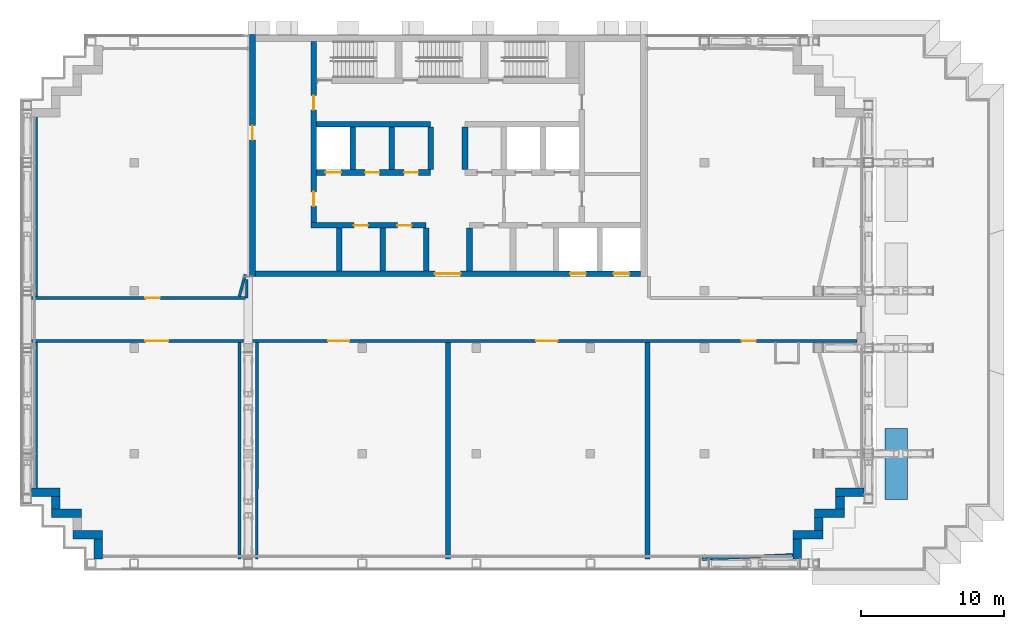
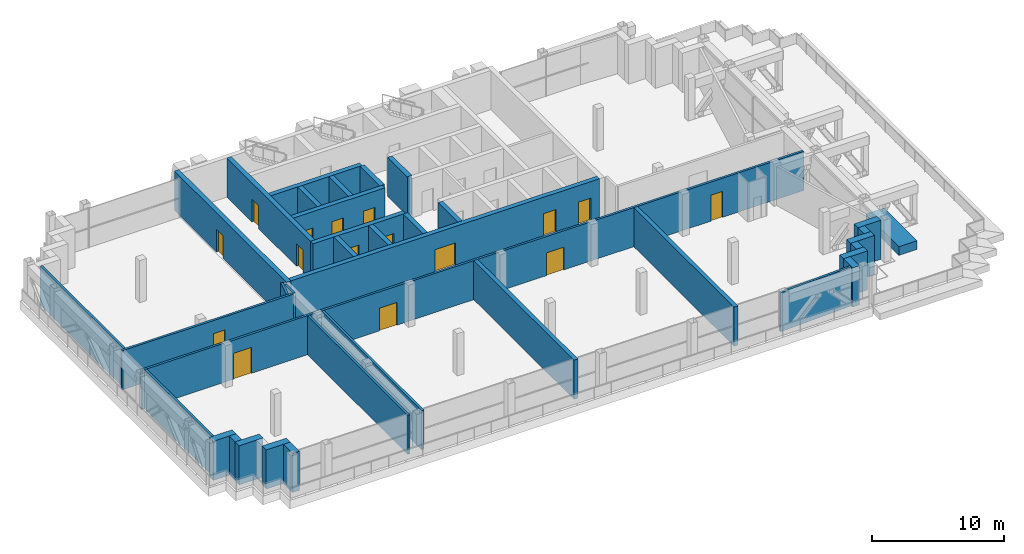
# One storey, part 7 of 21: 37 walls, 16 doors, 16 openings.
"""IFC4 building model written with IfcOpenShell, lengths in metres."""

from ifc_helpers import new_model, si_unit, direction, frame, frame_2d, origin, place, context, subcontext, project, spatial, rectangle, extrude, material, layer, layer_set, type_object, element, fill, save


model = new_model("IFC4")

# Units and contexts
model_context = context("Model", 3, precision=1e-05, world=origin(), true_north=direction((0.0, 1.0)))
body_context = subcontext(model_context, "Body", "Model", "MODEL_VIEW")
ifc_project = project(units=[si_unit("LENGTHUNIT", "METRE"), si_unit("AREAUNIT", "SQUARE_METRE"), si_unit("VOLUMEUNIT", "CUBIC_METRE"), si_unit("PLANEANGLEUNIT", "RADIAN"), si_unit("MASSUNIT", "GRAM", prefix="KILO")], contexts=[model_context])

# Site, building, storey
site_placement = place(None, origin())
site = spatial("IfcSite", under=ifc_project, at=site_placement, CompositionType="ELEMENT")
building_placement = place(site_placement, origin())
building = spatial("IfcBuilding", under=site, at=building_placement, Name="Vidyagriha Tower", CompositionType="ELEMENT")
storey_placement = place(building_placement, frame((0.0, 0.0, 203.699951171875)))
storey = spatial("IfcBuildingStorey", under=building, at=storey_placement, Name="L52", CompositionType="ELEMENT", Elevation=203.699951171875)

# Walls
ifc_material_1 = material(Name="Precast concrete C40/50 with brick facing", Category="concrete")
ifc_layer_1 = layer(ifc_material_1, 1.60009765625)
ifc_layer_set_1 = layer_set([ifc_layer_1], Name="Precast concrete C40/50 with brick facing")
wall_type_1 = type_object("IfcWallType", Name="Brick planter box 1600", PredefinedType="STANDARD", material=ifc_layer_set_1)
wall_1_placement = place(storey_placement, frame((31.449951171875, -12.628662109375, 0.0), z_axis=(0.0, 0.0, 1.0), x_axis=(0.0, 1.0, 0.0)))
element("IfcWall", 1, at=wall_1_placement, inside=storey, type_object=wall_type_1, Name="PLANTER L52 1", PredefinedType="STANDARD", context=body_context, shape_type="SweptSolid", body=[
    extrude(rectangle(XDim=5.0, YDim=1.60009765625, at=frame_2d((2.5, 0.0))), origin(), (0.0, 0.0, 1.0), 0.800048828125),
])
ifc_material_2 = material(Name="Precast concrete C40/50 with brick facing", Category="concrete")
ifc_layer_2 = layer(ifc_material_2, 0.60009765625)
ifc_layer_set_2 = layer_set([ifc_layer_2], Name="Precast concrete C40/50 with brick facing")
wall_type_2 = type_object("IfcWallType", Name="Brick-faced precast wall 600", PredefinedType="STANDARD", material=ifc_layer_set_2)
wall_2_placement = place(storey_placement, frame((-29.199951171875, -12.10009765625, 0.0)))
element("IfcWall", 2, at=wall_2_placement, inside=storey, type_object=wall_type_2, Name="Stepped corner wall L52 R17", PredefinedType="STANDARD", context=body_context, shape_type="SweptSolid", body=[
    extrude(rectangle(XDim=2.0, YDim=0.60009765625, at=frame_2d((1.0, 0.0))), origin(), (0.0, 0.0, 1.0), 3.6201171875),
])
wall_3_placement = place(storey_placement, frame((-27.5, -12.39990234375, 0.0), z_axis=(0.0, 0.0, 1.0), x_axis=(0.0, -1.0, 0.0)))
element("IfcWall", 3, at=wall_3_placement, inside=storey, type_object=wall_type_2, Name="Stepped corner wall L52 R18", PredefinedType="STANDARD", context=body_context, shape_type="SweptSolid", body=[
    extrude(rectangle(XDim=0.900146484375, YDim=0.60009765625, at=frame_2d((0.4501953125, 0.0))), origin(), (0.0, 0.0, 1.0), 3.6201171875),
])
for number, where, name in (
    (4, (-27.800048828125, -13.60009765625, 0.0), "Stepped corner wall L52 R19"),
    (5, (-26.300048828125, -15.10009765625, 0.0), "Stepped corner wall L52 R21"),
):
    element("IfcWall", number, at=place(storey_placement, frame(where)), inside=storey, type_object=wall_type_2, Name=name, PredefinedType="STANDARD", context=body_context, shape_type="SweptSolid", body=[
        extrude(rectangle(XDim=2.10009765625, YDim=0.60009765625, at=frame_2d((1.050048828125, 0.0))), origin(), (0.0, 0.0, 1.0), 3.6201171875),
    ])
for number, where, z_axis, x_axis, name in (
    (6, (-24.5, -15.39990234375, 0.0), (0.0, 0.0, 1.0), (0.0, -1.0, 0.0), "Stepped corner wall L52 R22"),
    (7, (24.5, -16.800048828125, 0.0), (0.0, 0.0, 1.0), (0.0, 1.0, 0.0), "Stepped corner wall L52 R24"),
):
    element("IfcWall", number, at=place(storey_placement, frame(where, z_axis=z_axis, x_axis=x_axis)), inside=storey, type_object=wall_type_2, Name=name, PredefinedType="STANDARD", context=body_context, shape_type="SweptSolid", body=[
        extrude(rectangle(XDim=1.400146484375, YDim=0.60009765625, at=frame_2d((0.7001953125, 0.0))), origin(), (0.0, 0.0, 1.0), 3.6201171875),
    ])
wall_4_placement = place(storey_placement, frame((24.199951171875, -15.10009765625, 0.0)))
element("IfcWall", 8, at=wall_4_placement, inside=storey, type_object=wall_type_2, Name="Stepped corner wall L52 R25", PredefinedType="STANDARD", context=body_context, shape_type="SweptSolid", body=[
    extrude(rectangle(XDim=2.10009765625, YDim=0.60009765625, at=frame_2d((1.050048828125, 0.0))), origin(), (0.0, 0.0, 1.0), 3.6201171875),
])
wall_5_placement = place(storey_placement, frame((26.0, -14.800048828125, 0.0), z_axis=(0.0, 0.0, 1.0), x_axis=(0.0, 1.0, 0.0)))
element("IfcWall", 9, at=wall_5_placement, inside=storey, type_object=wall_type_2, Name="Stepped corner wall L52 R26", PredefinedType="STANDARD", context=body_context, shape_type="SweptSolid", body=[
    extrude(rectangle(XDim=0.900146484375, YDim=0.60009765625, at=frame_2d((0.4501953125, 0.0))), origin(), (0.0, 0.0, 1.0), 3.6201171875),
])
wall_6_placement = place(storey_placement, frame((25.699951171875, -13.60009765625, 0.0)))
element("IfcWall", 10, at=wall_6_placement, inside=storey, type_object=wall_type_2, Name="Stepped corner wall L52 R27", PredefinedType="STANDARD", context=body_context, shape_type="SweptSolid", body=[
    extrude(rectangle(XDim=2.10009765625, YDim=0.60009765625, at=frame_2d((1.050048828125, 0.0))), origin(), (0.0, 0.0, 1.0), 3.6201171875),
])
wall_7_placement = place(storey_placement, frame((27.5, -13.300048828125, 0.0), z_axis=(0.0, 0.0, 1.0), x_axis=(0.0, 1.0, 0.0)))
element("IfcWall", 11, at=wall_7_placement, inside=storey, type_object=wall_type_2, Name="Stepped corner wall L52 R28", PredefinedType="STANDARD", context=body_context, shape_type="SweptSolid", body=[
    extrude(rectangle(XDim=0.900146484375, YDim=0.60009765625, at=frame_2d((0.4501953125, 0.0))), origin(), (0.0, 0.0, 1.0), 3.6201171875),
])
wall_8_placement = place(storey_placement, frame((27.199951171875, -12.10009765625, 0.0)))
element("IfcWall", 12, at=wall_8_placement, inside=storey, type_object=wall_type_2, Name="Stepped corner wall L52 R29", PredefinedType="STANDARD", context=body_context, shape_type="SweptSolid", body=[
    extrude(rectangle(XDim=2.0, YDim=0.60009765625, at=frame_2d((1.0, 0.0))), origin(), (0.0, 0.0, 1.0), 3.6201171875),
])

# Wall, opening, door
ifc_material_3 = material(Name="Concrete C60/75", Category="concrete")
ifc_layer_3 = layer(ifc_material_3, 0.39990234375)
ifc_layer_set_3 = layer_set([ifc_layer_3], Name="Concrete C60/75")
wall_type_3 = type_object("IfcWallType", Name="Core shear wall 400 mm", PredefinedType="SHEAR", material=ifc_layer_set_3)
wall_9_placement = place(storey_placement, frame((-13.699951171875, 3.0, 0.0), z_axis=(0.0, 0.0, 1.0), x_axis=(0.0, 1.0, 0.0)))
wall_9 = element("IfcWall", 13, at=wall_9_placement, inside=storey, type_object=wall_type_3, Name="Core west wall", PredefinedType="SHEAR", context=body_context, shape_type="SweptSolid", body=[
    extrude(rectangle(XDim=17.0, YDim=0.39990234375, at=frame_2d((8.5, 0.0))), origin(), (0.0, 0.0, 1.0), 3.6201171875),
])
opening_1_placement = place(wall_9_placement, frame((9.60009765625, 0.0, 0.0)))
opening_1 = element("IfcOpeningElement", 14, at=opening_1_placement, cuts=wall_9, Name="Opening D52-16", PredefinedType="OPENING", context=body_context, shape_type="SweptSolid", body=[
    extrude(rectangle(XDim=1.0, YDim=2.10009765625, at=frame_2d((0.5, 1.050048828125))), frame((0.0, 0.2099609375, 0.0), z_axis=(0.0, -1.0, 0.0), x_axis=(1.0, 0.0, 0.0)), (0.0, 0.0, 1.0), 0.419921875),
])
ifc_material_4 = material(Name="Hollow metal door leaf")
door_type_1 = type_object("IfcDoorType", Name="Core room door 1000 x 2100 mm EI 60", OperationType="NOTDEFINED", PredefinedType="DOOR", material=ifc_material_4)
door_1_placement = place(opening_1_placement, origin())
door_1 = element("IfcDoor", 15, at=door_1_placement, inside=storey, type_object=door_type_1, Name="Door plant bay 52.W13", OperationType="SINGLE_SWING_LEFT", OverallHeight=2.10009765625, OverallWidth=1.0, PredefinedType="DOOR", context=body_context, shape_type="SweptSolid", body=[
    extrude(rectangle(XDim=1.0, YDim=2.10009765625, at=frame_2d((0.5, 1.050048828125))), frame((0.0, 0.02490234375, 0.0), z_axis=(0.0, -1.0, 0.0), x_axis=(1.0, 0.0, 0.0)), (0.0, 0.0, 1.0), 0.050048828125),
])
fill(opening_1, door_1)

# Wall, openings, doors
wall_10_placement = place(storey_placement, frame((-9.39990234375, 6.800048828125, 0.0), z_axis=(0.0, 0.0, 1.0), x_axis=(0.0, 1.0, 0.0)))
wall_10 = element("IfcWall", 16, at=wall_10_placement, inside=storey, type_object=wall_type_3, Name="Core west spine wall", PredefinedType="SHEAR", context=body_context, shape_type="SweptSolid", body=[
    extrude(rectangle(XDim=12.699951171875, YDim=0.39990234375, at=frame_2d((6.35009765625, 0.0))), origin(), (0.0, 0.0, 1.0), 3.6201171875),
])
opening_2_placement = place(wall_10_placement, frame((1.14990234375, 0.0, 0.0)))
opening_2 = element("IfcOpeningElement", 17, at=opening_2_placement, cuts=wall_10, Name="Opening D52-14", PredefinedType="OPENING", context=body_context, shape_type="SweptSolid", body=[
    extrude(rectangle(XDim=1.0, YDim=2.10009765625, at=frame_2d((0.5, 1.050048828125))), frame((0.0, 0.2099609375, 0.0), z_axis=(0.0, -1.0, 0.0), x_axis=(1.0, 0.0, 0.0)), (0.0, 0.0, 1.0), 0.419921875),
])
opening_3_placement = place(wall_10_placement, frame((7.89990234375, 0.0, 0.0)))
opening_3 = element("IfcOpeningElement", 18, at=opening_3_placement, cuts=wall_10, Name="Opening D52-15", PredefinedType="OPENING", context=body_context, shape_type="SweptSolid", body=[
    extrude(rectangle(XDim=1.0, YDim=2.10009765625, at=frame_2d((0.5, 1.050048828125))), frame((0.0, 0.2099609375, 0.0), z_axis=(0.0, -1.0, 0.0), x_axis=(1.0, 0.0, 0.0)), (0.0, 0.0, 1.0), 0.419921875),
])
door_2_placement = place(opening_2_placement, frame((1.0, 0.0, 0.0), z_axis=(0.0, 0.0, 1.0), x_axis=(-1.0, 0.0, 0.0)))
door_2 = element("IfcDoor", 19, at=door_2_placement, inside=storey, type_object=door_type_1, Name="Door Plant Link Corridor 52.W lobby", OperationType="SINGLE_SWING_RIGHT", OverallHeight=2.10009765625, OverallWidth=1.0, PredefinedType="DOOR", context=body_context, shape_type="SweptSolid", body=[
    extrude(rectangle(XDim=1.0, YDim=2.10009765625, at=frame_2d((0.5, 1.050048828125))), frame((0.0, 0.02490234375, 0.0), z_axis=(0.0, -1.0, 0.0), x_axis=(1.0, 0.0, 0.0)), (0.0, 0.0, 1.0), 0.050048828125),
])
fill(opening_2, door_2)
door_3_placement = place(opening_3_placement, frame((1.0, 0.0, 0.0), z_axis=(0.0, 0.0, 1.0), x_axis=(-1.0, 0.0, 0.0)))
door_3 = element("IfcDoor", 20, at=door_3_placement, inside=storey, type_object=door_type_1, Name="Door Plant Link Corridor 52.W corridor", OperationType="SINGLE_SWING_LEFT", OverallHeight=2.10009765625, OverallWidth=1.0, PredefinedType="DOOR", context=body_context, shape_type="SweptSolid", body=[
    extrude(rectangle(XDim=1.0, YDim=2.10009765625, at=frame_2d((0.5, 1.050048828125))), frame((0.0, 0.02490234375, 0.0), z_axis=(0.0, -1.0, 0.0), x_axis=(1.0, 0.0, 0.0)), (0.0, 0.0, 1.0), 0.050048828125),
])
fill(opening_3, door_3)

wall_11_placement = place(storey_placement, frame((-13.5, 3.199951171875, 0.0)))
wall_11 = element("IfcWall", 21, at=wall_11_placement, inside=storey, type_object=wall_type_3, Name="Core front wall", PredefinedType="SHEAR", context=body_context, shape_type="SweptSolid", body=[
    extrude(rectangle(XDim=27.0, YDim=0.39990234375, at=frame_2d((13.5, 0.0))), origin(), (0.0, 0.0, 1.0), 3.6201171875),
])
opening_4_placement = place(wall_11_placement, frame((22.083251953125, 0.0, 0.0)))
opening_4 = element("IfcOpeningElement", 22, at=opening_4_placement, cuts=wall_11, Name="Opening LD52-01", PredefinedType="OPENING", context=body_context, shape_type="SweptSolid", body=[
    extrude(rectangle(XDim=1.10009765625, YDim=2.10009765625, at=frame_2d((0.550048828125, 1.050048828125))), frame((0.0, 0.2099609375, 0.0), z_axis=(0.0, -1.0, 0.0), x_axis=(1.0, 0.0, 0.0)), (0.0, 0.0, 1.0), 0.419921875),
])
opening_5_placement = place(wall_11_placement, frame((25.127685546875, 0.0, 0.0)))
opening_5 = element("IfcOpeningElement", 23, at=opening_5_placement, cuts=wall_11, Name="Opening LD52-02", PredefinedType="OPENING", context=body_context, shape_type="SweptSolid", body=[
    extrude(rectangle(XDim=1.10009765625, YDim=2.10009765625, at=frame_2d((0.550048828125, 1.050048828125))), frame((0.0, 0.2099609375, 0.0), z_axis=(0.0, -1.0, 0.0), x_axis=(1.0, 0.0, 0.0)), (0.0, 0.0, 1.0), 0.419921875),
])
opening_6_placement = place(wall_11_placement, frame((12.60009765625, 0.0, 0.0)))
opening_6 = element("IfcOpeningElement", 24, at=opening_6_placement, cuts=wall_11, Name="Opening D52-02", PredefinedType="OPENING", context=body_context, shape_type="SweptSolid", body=[
    extrude(rectangle(XDim=1.800048828125, YDim=2.10009765625, at=frame_2d((0.89990234375, 1.050048828125))), frame((0.0, 0.2099609375, 0.0), z_axis=(0.0, -1.0, 0.0), x_axis=(1.0, 0.0, 0.0)), (0.0, 0.0, 1.0), 0.419921875),
])
ifc_material_5 = material(Name="Hollow metal door leaf")
door_type_2 = type_object("IfcDoorType", Name="Core lobby double door 1800 x 2100 mm EI 60", OperationType="NOTDEFINED", PredefinedType="DOOR", material=ifc_material_5)
door_4_placement = place(opening_6_placement, frame((1.800048828125, 0.0, 0.0), z_axis=(0.0, 0.0, 1.0), x_axis=(-1.0, 0.0, 0.0)))
door_4 = element("IfcDoor", 25, at=door_4_placement, inside=storey, type_object=door_type_2, Name="Core entrance door L52", OperationType="DOUBLE_DOOR_SINGLE_SWING", OverallHeight=2.10009765625, OverallWidth=1.800048828125, PredefinedType="DOOR", context=body_context, shape_type="SweptSolid", body=[
    extrude(rectangle(XDim=1.800048828125, YDim=2.10009765625, at=frame_2d((0.89990234375, 1.050048828125))), frame((0.0, 0.02490234375, 0.0), z_axis=(0.0, -1.0, 0.0), x_axis=(1.0, 0.0, 0.0)), (0.0, 0.0, 1.0), 0.050048828125),
])
fill(opening_6, door_4)
ifc_material_6 = material(Name="Stainless steel sliding door panel", Category="steel")
door_type_3 = type_object("IfcDoorType", Name="Lift landing door 1100 x 2100 mm EI 90", OperationType="NOTDEFINED", PredefinedType="DOOR", material=ifc_material_6)
door_5_placement = place(opening_4_placement, origin())
door_5 = element("IfcDoor", 26, at=door_5_placement, inside=storey, type_object=door_type_3, Name="Landing door MR1 L52", OperationType="SLIDING_TO_LEFT", OverallHeight=2.10009765625, OverallWidth=1.10009765625, PredefinedType="DOOR", context=body_context, shape_type="SweptSolid", body=[
    extrude(rectangle(XDim=1.10009765625, YDim=2.10009765625, at=frame_2d((0.550048828125, 1.050048828125))), frame((0.0, 0.02490234375, 0.0), z_axis=(0.0, -1.0, 0.0), x_axis=(1.0, 0.0, 0.0)), (0.0, 0.0, 1.0), 0.050048828125),
])
fill(opening_4, door_5)
door_6_placement = place(opening_5_placement, origin())
door_6 = element("IfcDoor", 27, at=door_6_placement, inside=storey, type_object=door_type_3, Name="Landing door MR2 L52", OperationType="SLIDING_TO_LEFT", OverallHeight=2.10009765625, OverallWidth=1.10009765625, PredefinedType="DOOR", context=body_context, shape_type="SweptSolid", body=[
    extrude(rectangle(XDim=1.10009765625, YDim=2.10009765625, at=frame_2d((0.550048828125, 1.050048828125))), frame((0.0, 0.02490234375, 0.0), z_axis=(0.0, -1.0, 0.0), x_axis=(1.0, 0.0, 0.0)), (0.0, 0.0, 1.0), 0.050048828125),
])
fill(opening_5, door_6)

wall_12_placement = place(storey_placement, frame((-9.60009765625, 6.60009765625, 0.0)))
wall_12 = element("IfcWall", 28, at=wall_12_placement, inside=storey, type_object=wall_type_3, Name="Core lobby south wall west", PredefinedType="SHEAR", context=body_context, shape_type="SweptSolid", body=[
    extrude(rectangle(XDim=8.077880859375, YDim=0.39990234375, at=frame_2d((4.0390625, 0.0))), origin(), (0.0, 0.0, 1.0), 3.6201171875),
])
opening_7_placement = place(wall_12_placement, frame((3.010986328125, 0.0, 0.0)))
opening_7 = element("IfcOpeningElement", 29, at=opening_7_placement, cuts=wall_12, Name="Opening D52-03", PredefinedType="OPENING", context=body_context, shape_type="SweptSolid", body=[
    extrude(rectangle(XDim=1.0, YDim=2.10009765625, at=frame_2d((0.5, 1.050048828125))), frame((0.0, 0.2099609375, 0.0), z_axis=(0.0, -1.0, 0.0), x_axis=(1.0, 0.0, 0.0)), (0.0, 0.0, 1.0), 0.419921875),
])
opening_8_placement = place(wall_12_placement, frame((6.0556640625, 0.0, 0.0)))
opening_8 = element("IfcOpeningElement", 30, at=opening_8_placement, cuts=wall_12, Name="Opening D52-04", PredefinedType="OPENING", context=body_context, shape_type="SweptSolid", body=[
    extrude(rectangle(XDim=1.0, YDim=2.10009765625, at=frame_2d((0.5, 1.050048828125))), frame((0.0, 0.2099609375, 0.0), z_axis=(0.0, -1.0, 0.0), x_axis=(1.0, 0.0, 0.0)), (0.0, 0.0, 1.0), 0.419921875),
])
door_7_placement = place(opening_7_placement, origin())
door_7 = element("IfcDoor", 31, at=door_7_placement, inside=storey, type_object=door_type_1, Name="Door Electrical Room 52.01", OperationType="SINGLE_SWING_RIGHT", OverallHeight=2.10009765625, OverallWidth=1.0, PredefinedType="DOOR", context=body_context, shape_type="SweptSolid", body=[
    extrude(rectangle(XDim=1.0, YDim=2.10009765625, at=frame_2d((0.5, 1.050048828125))), frame((0.0, 0.02490234375, 0.0), z_axis=(0.0, -1.0, 0.0), x_axis=(1.0, 0.0, 0.0)), (0.0, 0.0, 1.0), 0.050048828125),
])
fill(opening_7, door_7)
door_8_placement = place(opening_8_placement, origin())
door_8 = element("IfcDoor", 32, at=door_8_placement, inside=storey, type_object=door_type_1, Name="Door Communications Room 52.02", OperationType="SINGLE_SWING_RIGHT", OverallHeight=2.10009765625, OverallWidth=1.0, PredefinedType="DOOR", context=body_context, shape_type="SweptSolid", body=[
    extrude(rectangle(XDim=1.0, YDim=2.10009765625, at=frame_2d((0.5, 1.050048828125))), frame((0.0, 0.02490234375, 0.0), z_axis=(0.0, -1.0, 0.0), x_axis=(1.0, 0.0, 0.0)), (0.0, 0.0, 1.0), 0.050048828125),
])
fill(opening_8, door_8)

# Walls
for number, where, z_axis, x_axis, name in (
    (33, (-7.611083984375, 3.39990234375, 0.0), (0.0, 0.0, 1.0), (0.0, 1.0, 0.0), "Core bay wall S2"),
    (34, (-4.566650390625, 3.39990234375, 0.0), (0.0, 0.0, 1.0), (0.0, 1.0, 0.0), "Core bay wall S3"),
    (35, (-1.522216796875, 3.39990234375, 0.0), (0.0, 0.0, 1.0), (0.0, 1.0, 0.0), "Core bay wall S4"),
    (36, (1.522216796875, 3.39990234375, 0.0), (0.0, 0.0, 1.0), (0.0, 1.0, 0.0), "Core bay wall S5"),
):
    element("IfcWall", number, at=place(storey_placement, frame(where, z_axis=z_axis, x_axis=x_axis)), inside=storey, type_object=wall_type_3, Name=name, PredefinedType="SHEAR", context=body_context, shape_type="SweptSolid", body=[
        extrude(rectangle(XDim=3.0, YDim=0.39990234375, at=frame_2d((1.5, 0.0))), origin(), (0.0, 0.0, 1.0), 3.6201171875),
    ])

# Wall, openings, doors
wall_13_placement = place(storey_placement, frame((-9.199951171875, 10.300048828125, 0.0)))
wall_13 = element("IfcWall", 37, at=wall_13_placement, inside=storey, type_object=wall_type_3, Name="Core row N front wall", PredefinedType="SHEAR", context=body_context, shape_type="SweptSolid", body=[
    extrude(rectangle(XDim=8.0, YDim=0.39990234375, at=frame_2d((4.0, 0.0))), origin(), (0.0, 0.0, 1.0), 3.6201171875),
])
opening_9_placement = place(wall_13_placement, frame((0.61669921875, 0.0, 0.0)))
opening_9 = element("IfcOpeningElement", 38, at=opening_9_placement, cuts=wall_13, Name="Opening LD52-03", PredefinedType="OPENING", context=body_context, shape_type="SweptSolid", body=[
    extrude(rectangle(XDim=1.10009765625, YDim=2.10009765625, at=frame_2d((0.550048828125, 1.050048828125))), frame((0.0, 0.2099609375, 0.0), z_axis=(0.0, -1.0, 0.0), x_axis=(1.0, 0.0, 0.0)), (0.0, 0.0, 1.0), 0.419921875),
])
opening_10_placement = place(wall_13_placement, frame((3.39990234375, 0.0, 0.0)))
opening_10 = element("IfcOpeningElement", 39, at=opening_10_placement, cuts=wall_13, Name="Opening D52-07", PredefinedType="OPENING", context=body_context, shape_type="SweptSolid", body=[
    extrude(rectangle(XDim=1.0, YDim=2.10009765625, at=frame_2d((0.5, 1.050048828125))), frame((0.0, 0.2099609375, 0.0), z_axis=(0.0, -1.0, 0.0), x_axis=(1.0, 0.0, 0.0)), (0.0, 0.0, 1.0), 0.419921875),
])
opening_11_placement = place(wall_13_placement, frame((6.13330078125, 0.0, 0.0)))
opening_11 = element("IfcOpeningElement", 40, at=opening_11_placement, cuts=wall_13, Name="Opening D52-08", PredefinedType="OPENING", context=body_context, shape_type="SweptSolid", body=[
    extrude(rectangle(XDim=1.0, YDim=2.10009765625, at=frame_2d((0.5, 1.050048828125))), frame((0.0, 0.2099609375, 0.0), z_axis=(0.0, -1.0, 0.0), x_axis=(1.0, 0.0, 0.0)), (0.0, 0.0, 1.0), 0.419921875),
])
door_9_placement = place(opening_10_placement, frame((1.0, 0.0, 0.0), z_axis=(0.0, 0.0, 1.0), x_axis=(-1.0, 0.0, 0.0)))
door_9 = element("IfcDoor", 41, at=door_9_placement, inside=storey, type_object=door_type_1, Name="Door Mechanical Riser Room 52.14", OperationType="SINGLE_SWING_RIGHT", OverallHeight=2.10009765625, OverallWidth=1.0, PredefinedType="DOOR", context=body_context, shape_type="SweptSolid", body=[
    extrude(rectangle(XDim=1.0, YDim=2.10009765625, at=frame_2d((0.5, 1.050048828125))), frame((0.0, 0.02490234375, 0.0), z_axis=(0.0, -1.0, 0.0), x_axis=(1.0, 0.0, 0.0)), (0.0, 0.0, 1.0), 0.050048828125),
])
fill(opening_10, door_9)
door_10_placement = place(opening_11_placement, frame((1.0, 0.0, 0.0), z_axis=(0.0, 0.0, 1.0), x_axis=(-1.0, 0.0, 0.0)))
door_10 = element("IfcDoor", 42, at=door_10_placement, inside=storey, type_object=door_type_1, Name="Door Storage Room 52.15", OperationType="SINGLE_SWING_LEFT", OverallHeight=2.10009765625, OverallWidth=1.0, PredefinedType="DOOR", context=body_context, shape_type="SweptSolid", body=[
    extrude(rectangle(XDim=1.0, YDim=2.10009765625, at=frame_2d((0.5, 1.050048828125))), frame((0.0, 0.02490234375, 0.0), z_axis=(0.0, -1.0, 0.0), x_axis=(1.0, 0.0, 0.0)), (0.0, 0.0, 1.0), 0.050048828125),
])
fill(opening_11, door_10)
door_11_placement = place(opening_9_placement, origin())
door_11 = element("IfcDoor", 43, at=door_11_placement, inside=storey, type_object=door_type_3, Name="Landing door MR3 L52", OperationType="SLIDING_TO_LEFT", OverallHeight=2.10009765625, OverallWidth=1.10009765625, PredefinedType="DOOR", context=body_context, shape_type="SweptSolid", body=[
    extrude(rectangle(XDim=1.10009765625, YDim=2.10009765625, at=frame_2d((0.550048828125, 1.050048828125))), frame((0.0, 0.02490234375, 0.0), z_axis=(0.0, -1.0, 0.0), x_axis=(1.0, 0.0, 0.0)), (0.0, 0.0, 1.0), 0.050048828125),
])
fill(opening_9, door_11)

# Walls
wall_14_placement = place(storey_placement, frame((-9.199951171875, 13.699951171875, 0.0)))
element("IfcWall", 44, at=wall_14_placement, inside=storey, type_object=wall_type_3, Name="Core row N rear wall", PredefinedType="SHEAR", context=body_context, shape_type="SweptSolid", body=[
    extrude(rectangle(XDim=8.0, YDim=0.39990234375, at=frame_2d((4.0, 0.0))), origin(), (0.0, 0.0, 1.0), 3.6201171875),
])
for number, where, z_axis, x_axis, name in (
    (45, (-6.666748046875, 10.5, 0.0), (0.0, 0.0, 1.0), (0.0, 1.0, 0.0), "Core bay wall N1"),
    (46, (-3.933349609375, 10.5, 0.0), (0.0, 0.0, 1.0), (0.0, 1.0, 0.0), "Core bay wall N2"),
    (47, (-1.199951171875, 10.5, 0.0), (0.0, 0.0, 1.0), (0.0, 1.0, 0.0), "Core bay wall N3"),
    (48, (1.199951171875, 10.5, 0.0), (0.0, 0.0, 1.0), (0.0, 1.0, 0.0), "Core bay wall N4"),
):
    element("IfcWall", number, at=place(storey_placement, frame(where, z_axis=z_axis, x_axis=x_axis)), inside=storey, type_object=wall_type_3, Name=name, PredefinedType="SHEAR", context=body_context, shape_type="SweptSolid", body=[
        extrude(rectangle(XDim=3.0, YDim=0.39990234375, at=frame_2d((1.5, 0.0))), origin(), (0.0, 0.0, 1.0), 3.6201171875),
    ])

# Wall, openings, doors
ifc_material_7 = material(Name="Blockwork 15 MPa", Category="masonry")
ifc_layer_4 = layer(ifc_material_7, 0.199951171875)
ifc_layer_set_4 = layer_set([ifc_layer_4], Name="Blockwork 15 MPa")
wall_type_4 = type_object("IfcWallType", Name="Service room partition 200 mm", PredefinedType="PARTITIONING", material=ifc_layer_set_4)
wall_15_placement = place(storey_placement, frame((-29.199951171875, -1.5, 0.0)))
wall_15 = element("IfcWall", 49, at=wall_15_placement, inside=storey, type_object=wall_type_4, Name="Plant corridor south wall", PredefinedType="PARTITIONING", context=body_context, shape_type="SweptSolid", body=[
    extrude(rectangle(XDim=57.89990234375, YDim=0.199951171875, at=frame_2d((28.949951171875, 0.0))), origin(), (0.0, 0.0, 1.0), 3.6201171875),
])
opening_12_placement = place(wall_15_placement, frame((20.800048828125, 0.0, 0.0)))
opening_12 = element("IfcOpeningElement", 50, at=opening_12_placement, cuts=wall_15, Name="Opening D52-19", PredefinedType="OPENING", context=body_context, shape_type="SweptSolid", body=[
    extrude(rectangle(XDim=1.5, YDim=2.10009765625, at=frame_2d((0.75, 1.050048828125))), frame((0.0, 0.10986328125, 0.0), z_axis=(0.0, -1.0, 0.0), x_axis=(1.0, 0.0, 0.0)), (0.0, 0.0, 1.0), 0.219970703125),
])
opening_13_placement = place(wall_15_placement, frame((35.39990234375, 0.0, 0.0)))
opening_13 = element("IfcOpeningElement", 51, at=opening_13_placement, cuts=wall_15, Name="Opening D52-20", PredefinedType="OPENING", context=body_context, shape_type="SweptSolid", body=[
    extrude(rectangle(XDim=1.5, YDim=2.10009765625, at=frame_2d((0.75, 1.050048828125))), frame((0.0, 0.10986328125, 0.0), z_axis=(0.0, -1.0, 0.0), x_axis=(1.0, 0.0, 0.0)), (0.0, 0.0, 1.0), 0.219970703125),
])
opening_14_placement = place(wall_15_placement, frame((49.800048828125, 0.0, 0.0)))
opening_14 = element("IfcOpeningElement", 52, at=opening_14_placement, cuts=wall_15, Name="Opening D52-21", PredefinedType="OPENING", context=body_context, shape_type="SweptSolid", body=[
    extrude(rectangle(XDim=1.0, YDim=2.39990234375, at=frame_2d((0.5, 1.199951171875))), frame((0.0, 0.10986328125, 0.0), z_axis=(0.0, -1.0, 0.0), x_axis=(1.0, 0.0, 0.0)), (0.0, 0.0, 1.0), 0.219970703125),
])
opening_15_placement = place(wall_15_placement, frame((8.0, 0.0, 0.0)))
opening_15 = element("IfcOpeningElement", 53, at=opening_15_placement, cuts=wall_15, Name="Opening D52-23", PredefinedType="OPENING", context=body_context, shape_type="SweptSolid", body=[
    extrude(rectangle(XDim=1.60009765625, YDim=2.39990234375, at=frame_2d((0.800048828125, 1.199951171875))), frame((0.0, 0.10986328125, 0.0), z_axis=(0.0, -1.0, 0.0), x_axis=(1.0, 0.0, 0.0)), (0.0, 0.0, 1.0), 0.219970703125),
])
ifc_material_8 = material(Name="Hollow metal door leaf")
door_type_4 = type_object("IfcDoorType", Name="Electrical room door 1000 x 2400 mm EI 90", OperationType="NOTDEFINED", PredefinedType="DOOR", material=ifc_material_8)
door_12_placement = place(opening_14_placement, origin())
door_12 = element("IfcDoor", 54, at=door_12_placement, inside=storey, type_object=door_type_4, Name="Door Switchgear Room 52.03", OperationType="SINGLE_SWING_RIGHT", OverallHeight=2.39990234375, OverallWidth=1.0, PredefinedType="DOOR", context=body_context, shape_type="SweptSolid", body=[
    extrude(rectangle(XDim=1.0, YDim=2.39990234375, at=frame_2d((0.5, 1.199951171875))), frame((0.0, 0.02490234375, 0.0), z_axis=(0.0, -1.0, 0.0), x_axis=(1.0, 0.0, 0.0)), (0.0, 0.0, 1.0), 0.050048828125),
])
fill(opening_14, door_12)
ifc_material_9 = material(Name="Hollow metal door leaf")
door_type_5 = type_object("IfcDoorType", Name="Plant room double door 1600 x 2400 mm EI 90", OperationType="NOTDEFINED", PredefinedType="DOOR", material=ifc_material_9)
door_13_placement = place(opening_15_placement, origin())
door_13 = element("IfcDoor", 55, at=door_13_placement, inside=storey, type_object=door_type_5, Name="Door Telecommunications Room 52.04", OperationType="DOUBLE_DOOR_SINGLE_SWING", OverallHeight=2.39990234375, OverallWidth=1.60009765625, PredefinedType="DOOR", context=body_context, shape_type="SweptSolid", body=[
    extrude(rectangle(XDim=1.60009765625, YDim=2.39990234375, at=frame_2d((0.800048828125, 1.199951171875))), frame((0.0, 0.02490234375, 0.0), z_axis=(0.0, -1.0, 0.0), x_axis=(1.0, 0.0, 0.0)), (0.0, 0.0, 1.0), 0.050048828125),
])
fill(opening_15, door_13)
ifc_material_10 = material(Name="Hollow metal door leaf")
door_type_6 = type_object("IfcDoorType", Name="Refuge area double door 1500 x 2100 mm EI 90", OperationType="NOTDEFINED", PredefinedType="DOOR", material=ifc_material_10)
door_14_placement = place(opening_12_placement, origin())
door_14 = element("IfcDoor", 56, at=door_14_placement, inside=storey, type_object=door_type_6, Name="Door Refuge Area 52.1", OperationType="DOUBLE_DOOR_SINGLE_SWING", OverallHeight=2.10009765625, OverallWidth=1.5, PredefinedType="DOOR", context=body_context, shape_type="SweptSolid", body=[
    extrude(rectangle(XDim=1.5, YDim=2.10009765625, at=frame_2d((0.75, 1.050048828125))), frame((0.0, 0.02490234375, 0.0), z_axis=(0.0, -1.0, 0.0), x_axis=(1.0, 0.0, 0.0)), (0.0, 0.0, 1.0), 0.050048828125),
])
fill(opening_12, door_14)
door_15_placement = place(opening_13_placement, origin())
door_15 = element("IfcDoor", 57, at=door_15_placement, inside=storey, type_object=door_type_6, Name="Door Refuge Area 52.2", OperationType="DOUBLE_DOOR_SINGLE_SWING", OverallHeight=2.10009765625, OverallWidth=1.5, PredefinedType="DOOR", context=body_context, shape_type="SweptSolid", body=[
    extrude(rectangle(XDim=1.5, YDim=2.10009765625, at=frame_2d((0.75, 1.050048828125))), frame((0.0, 0.02490234375, 0.0), z_axis=(0.0, -1.0, 0.0), x_axis=(1.0, 0.0, 0.0)), (0.0, 0.0, 1.0), 0.050048828125),
])
fill(opening_13, door_15)

# Wall, opening, door
wall_16_placement = place(storey_placement, frame((-29.199951171875, 1.5, 0.0)))
wall_16 = element("IfcWall", 58, at=wall_16_placement, inside=storey, type_object=wall_type_4, Name="Plant corridor north wall west", PredefinedType="PARTITIONING", context=body_context, shape_type="SweptSolid", body=[
    extrude(rectangle(XDim=15.0, YDim=0.199951171875, at=frame_2d((7.5, 0.0))), origin(), (0.0, 0.0, 1.0), 3.6201171875),
])
opening_16_placement = place(wall_16_placement, frame((8.0, 0.0, 0.0)))
opening_16 = element("IfcOpeningElement", 59, at=opening_16_placement, cuts=wall_16, Name="Opening D52-24", PredefinedType="OPENING", context=body_context, shape_type="SweptSolid", body=[
    extrude(rectangle(XDim=1.0, YDim=2.39990234375, at=frame_2d((0.5, 1.199951171875))), frame((0.0, 0.10986328125, 0.0), z_axis=(0.0, -1.0, 0.0), x_axis=(1.0, 0.0, 0.0)), (0.0, 0.0, 1.0), 0.219970703125),
])
door_16_placement = place(opening_16_placement, frame((1.0, 0.0, 0.0), z_axis=(0.0, 0.0, 1.0), x_axis=(-1.0, 0.0, 0.0)))
door_16 = element("IfcDoor", 60, at=door_16_placement, inside=storey, type_object=door_type_4, Name="Door Transformer Room 52.W1", OperationType="SINGLE_SWING_LEFT", OverallHeight=2.39990234375, OverallWidth=1.0, PredefinedType="DOOR", context=body_context, shape_type="SweptSolid", body=[
    extrude(rectangle(XDim=1.0, YDim=2.39990234375, at=frame_2d((0.5, 1.199951171875))), frame((0.0, 0.02490234375, 0.0), z_axis=(0.0, -1.0, 0.0), x_axis=(1.0, 0.0, 0.0)), (0.0, 0.0, 1.0), 0.050048828125),
])
fill(opening_16, door_16)

# Walls
wall_17_placement = place(storey_placement, frame((-14.10009765625, 1.5, 0.0), z_axis=(0.0, 0.0, 1.0), x_axis=(0.0, 1.0, 0.0)))
element("IfcWall", 61, at=wall_17_placement, inside=storey, type_object=wall_type_4, Name="Lift hall west return wall", PredefinedType="PARTITIONING", context=body_context, shape_type="SweptSolid", body=[
    extrude(rectangle(XDim=1.31005859375, YDim=0.199951171875, at=frame_2d((0.655029296875, 0.0))), origin(), (0.0, 0.0, 1.0), 3.6201171875),
])
wall_18_placement = place(storey_placement, frame((-13.39990234375, -16.800048828125, 0.0), z_axis=(0.0, 0.0, 1.0), x_axis=(0.001317077513, 0.999999132653, 0.0)))
element("IfcWall", 62, at=wall_18_placement, inside=storey, type_object=wall_type_4, Name="Plant room wall", PredefinedType="PARTITIONING", context=body_context, shape_type="SweptSolid", body=[
    extrude(rectangle(XDim=15.199951171875, YDim=0.199951171875, at=frame_2d((7.60009765625, 0.0))), origin(), (0.0, 0.0, 1.0), 3.6201171875),
])
wall_19_placement = place(storey_placement, frame((17.830078125, -16.800048828125, 0.0), z_axis=(0.0, 0.0, 1.0), x_axis=(0.998916109623, 0.046546814458, 0.0)))
element("IfcWall", 63, at=wall_19_placement, inside=storey, type_object=wall_type_4, Name="Plant room wall", PredefinedType="PARTITIONING", context=body_context, shape_type="SweptSolid", body=[
    extrude(rectangle(XDim=6.367431640625, YDim=0.199951171875, at=frame_2d((3.18359375, 0.0))), origin(), (0.0, 0.0, 1.0), 3.6201171875),
])
wall_20_placement = place(storey_placement, frame((-28.8798828125, -11.800048828125, 0.0), z_axis=(0.0, 0.0, 1.0), x_axis=(0.0, 1.0, 0.0)))
element("IfcWall", 64, at=wall_20_placement, inside=storey, type_object=wall_type_4, Name="Plant room wall", PredefinedType="PARTITIONING", context=body_context, shape_type="SweptSolid", body=[
    extrude(rectangle(XDim=10.199951171875, YDim=0.199951171875, at=frame_2d((5.10009765625, 0.0))), origin(), (0.0, 0.0, 1.0), 3.6201171875),
])
wall_21_placement = place(storey_placement, frame((-14.6201171875, -16.800048828125, 0.0), z_axis=(0.0, 0.0, 1.0), x_axis=(0.0, 1.0, 0.0)))
element("IfcWall", 65, at=wall_21_placement, inside=storey, type_object=wall_type_4, Name="Plant room wall", PredefinedType="PARTITIONING", context=body_context, shape_type="SweptSolid", body=[
    extrude(rectangle(XDim=15.199951171875, YDim=0.199951171875, at=frame_2d((7.60009765625, 0.0))), origin(), (0.0, 0.0, 1.0), 3.6201171875),
])
wall_22_placement = place(storey_placement, frame((-14.61474609375, 1.619384765625, 0.0), z_axis=(0.0, 0.0, 1.0), x_axis=(0.258429414785, 0.966030143201, 0.0)))
element("IfcWall", 66, at=wall_22_placement, inside=storey, type_object=wall_type_4, Name="Plant room wall", PredefinedType="PARTITIONING", context=body_context, shape_type="SweptSolid", body=[
    extrude(rectangle(XDim=1.60498046875, YDim=0.199951171875, at=frame_2d((0.802490234375, 0.0))), origin(), (0.0, 0.0, 1.0), 3.6201171875),
])
wall_23_placement = place(storey_placement, frame((-28.8798828125, 1.60009765625, 0.0), z_axis=(0.0, 0.0, 1.0), x_axis=(0.0, 1.0, 0.0)))
element("IfcWall", 67, at=wall_23_placement, inside=storey, type_object=wall_type_4, Name="Plant room wall", PredefinedType="PARTITIONING", context=body_context, shape_type="SweptSolid", body=[
    extrude(rectangle(XDim=12.599853515625, YDim=0.199951171875, at=frame_2d((6.2998046875, 0.0))), origin(), (0.0, 0.0, 1.0), 3.6201171875),
])
ifc_material_11 = material(Name="Blockwork 15 MPa", Category="masonry")
ifc_layer_5 = layer(ifc_material_11, 0.35009765625)
ifc_layer_set_5 = layer_set([ifc_layer_5], Name="Blockwork 15 MPa")
wall_type_5 = type_object("IfcWallType", Name="Service room partition 350 mm", PredefinedType="PARTITIONING", material=ifc_layer_set_5)
for number, where, z_axis, x_axis, name in (
    (68, (0.0, -16.800048828125, 0.0), (0.0, 0.0, 1.0), (0.0, 1.0, 0.0), "Plant room wall"),
    (69, (14.0, -16.800048828125, 0.0), (0.0, 0.0, 1.0), (0.0, 1.0, 0.0), "Plant room wall"),
):
    element("IfcWall", number, at=place(storey_placement, frame(where, z_axis=z_axis, x_axis=x_axis)), inside=storey, type_object=wall_type_5, Name=name, PredefinedType="PARTITIONING", context=body_context, shape_type="SweptSolid", body=[
        extrude(rectangle(XDim=15.199951171875, YDim=0.35009765625, at=frame_2d((7.60009765625, 0.0))), origin(), (0.0, 0.0, 1.0), 3.6201171875),
    ])

save(model, "model.ifc")
